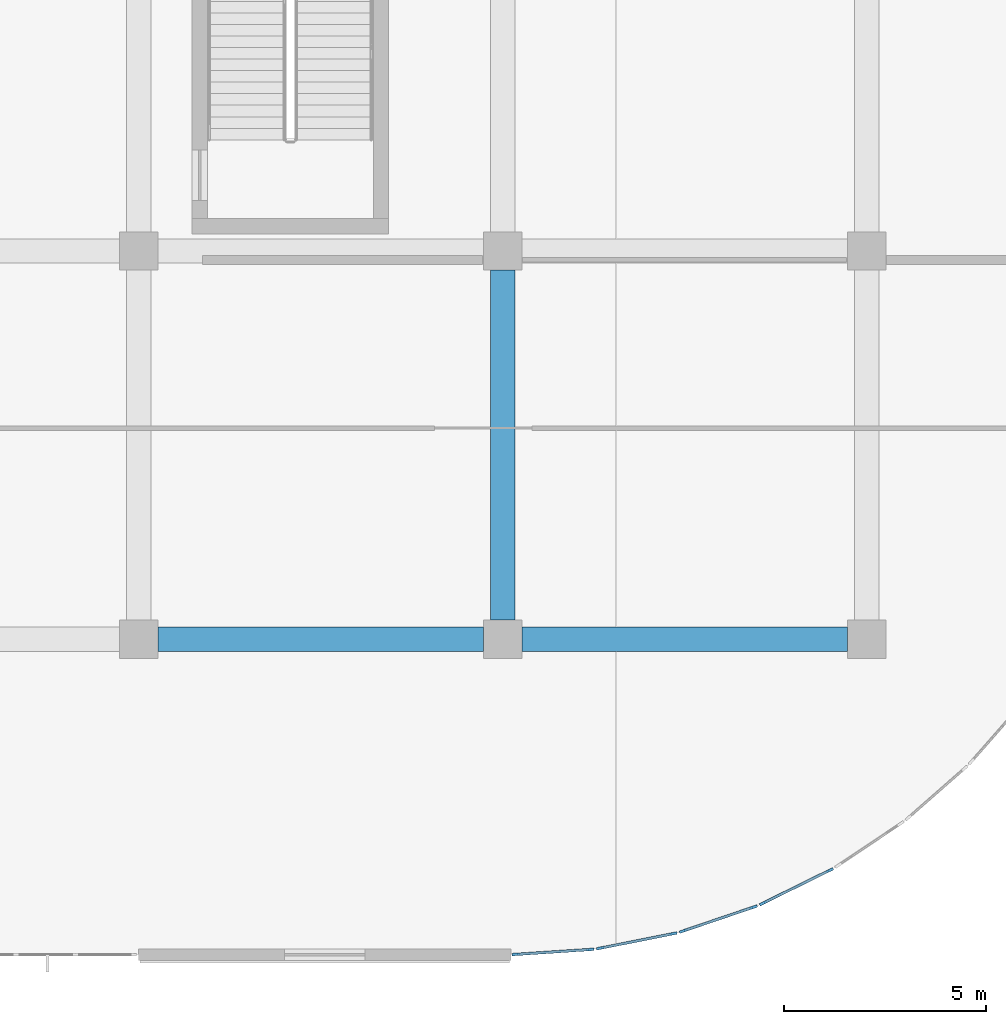
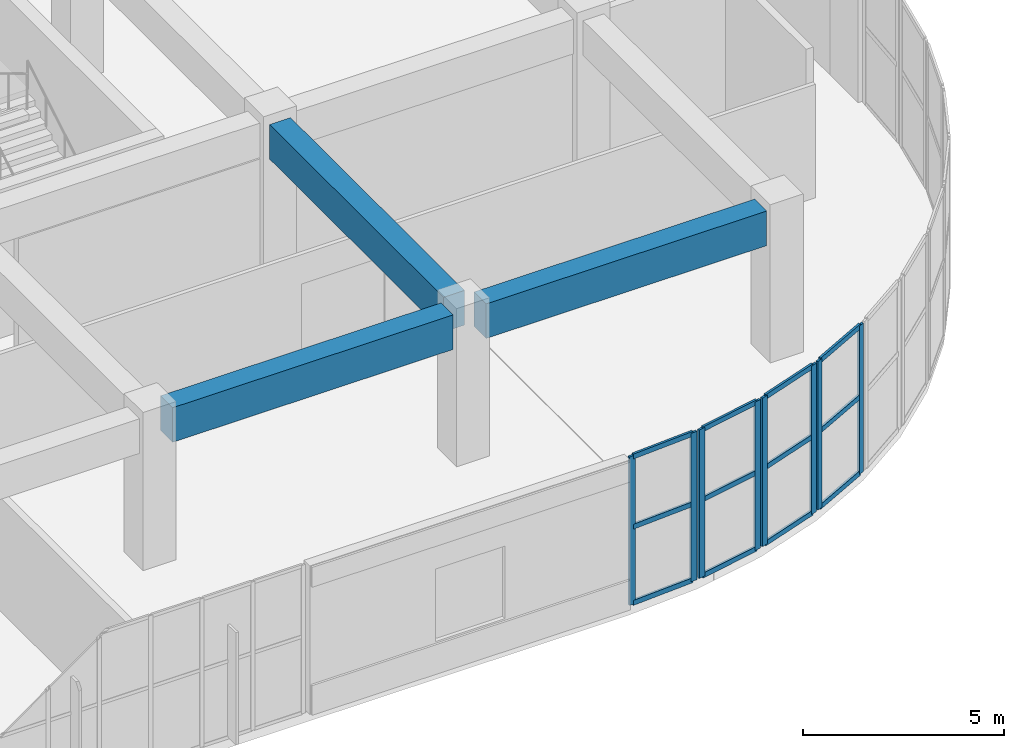
# One storey, part 22 of 86: 20 members, 3 beams, 4 elements without a shape of their own.
"""IFC4 building model written with IfcOpenShell, lengths in metres."""

from ifc_helpers import new_model, si_unit, direction, frame, origin, origin_2d, place, context, subcontext, project, spatial, rectangle, extrude, material, layer, layer_set, material_profile, profile_set, type_object, element, aggregate, save


model = new_model("IFC4")

# Units and contexts
model_context = context("Model", 3, precision=1e-05, world=origin(), true_north=direction((0.0, 1.0)))
body_context = subcontext(model_context, "Body", "Model", "MODEL_VIEW")
ifc_project = project(units=[si_unit("LENGTHUNIT", "METRE"), si_unit("AREAUNIT", "SQUARE_METRE"), si_unit("VOLUMEUNIT", "CUBIC_METRE"), si_unit("PLANEANGLEUNIT", "RADIAN"), si_unit("MASSUNIT", "GRAM", prefix="KILO")], contexts=[model_context])

# Site, building, storey
site_placement = place(None, origin())
site = spatial("IfcSite", under=ifc_project, at=site_placement, CompositionType="ELEMENT")
building_placement = place(site_placement, origin())
building = spatial("IfcBuilding", under=site, at=building_placement, Name="Cendralis Terraced Arcade", CompositionType="ELEMENT")
storey_placement = place(building_placement, frame((0.0, 0.0, 5.39990234375)))
storey = spatial("IfcBuildingStorey", under=building, at=storey_placement, Name="L01", CompositionType="ELEMENT", Elevation=5.39990234375)

# Beams
ifc_material_1 = material(Name="Concrete f'c 35 MPa", Category="concrete")
ifc_material_profile_1 = material_profile(ifc_material_1, rectangle(XDim=0.60009765625, YDim=1.050048828125, at=origin_2d()), Name="RC-BM-600x1050", Category="LoadBearing")
ifc_profile_set_1 = profile_set([ifc_material_profile_1], Name="Concrete f'c 35 MPa")
beam_type = type_object("IfcBeamType", Name="BM-600x1050", PredefinedType="JOIST", material=ifc_profile_set_1)
for number, where, z_axis, x_axis, name in (
    (1, (112.675048828125, 9.60009765625, 3.97998046875), (1.0, 0.0, 0.0), (0.0, 1.0, 0.0), "Reinforced Concrete Frame Beam BM-X-L02-B-13_14"),
    (2, (121.675048828125, 9.60009765625, 3.97998046875), (1.0, 0.0, 0.0), (0.0, 1.0, 0.0), "Reinforced Concrete Frame Beam BM-X-L02-B-14_15"),
):
    element("IfcBeam", number, at=place(storey_placement, frame(where, z_axis=z_axis, x_axis=x_axis)), inside=storey, type_object=beam_type, Name=name, PredefinedType="JOIST", context=body_context, shape_type="SweptSolid", body=[
        extrude(rectangle(XDim=0.60009765625, YDim=1.050048828125, at=origin_2d()), origin(), (0.0, 0.0, 1.0), 8.050048828125),
    ])
beam_placement = place(storey_placement, frame((121.199951171875, 10.074951171875, 3.97998046875), z_axis=(0.0, 1.0, 0.0), x_axis=(-1.0, 0.0, 0.0)))
element("IfcBeam", 3, at=beam_placement, inside=storey, type_object=beam_type, Name="Reinforced Concrete Frame Beam BM-Y-L02-14-B_C", PredefinedType="JOIST", context=body_context, shape_type="SweptSolid", body=[
    extrude(rectangle(XDim=0.60009765625, YDim=1.050048828125, at=origin_2d()), origin(), (0.0, 0.0, 1.0), 8.650146484375),
])

# Curtain wall, members
ifc_material_2 = material(Name="Anodised aluminium EN AW-6063 T6", Category="aluminium")
ifc_layer = layer(ifc_material_2, 0.179931640625, Name="CW-UNIT-A")
ifc_layer_set = layer_set([ifc_layer], Name="Anodised aluminium EN AW-6063 T6")
curtain_wall_type = type_object("IfcCurtainWallType", Name="CW-UNIT-A", PredefinedType="USERDEFINED", material=ifc_layer_set)
curtain_wall_1_placement = place(storey_placement, origin())
curtain_wall_1 = element("IfcCurtainWall", 4, at=curtain_wall_1_placement, inside=storey, type_object=curtain_wall_type, Name="Exterior Unitised Facade CW-L01-0086", ObjectType="UNITISED FACADE", PredefinedType="USERDEFINED")
ifc_material_profile_2 = material_profile(ifc_material_2, rectangle(XDim=0.06494140625, YDim=0.179931640625, at=origin_2d()), Name="ALU-MUL-65x180")
ifc_profile_set_2 = profile_set([ifc_material_profile_2], Name="Anodised aluminium EN AW-6063 T6")
member_type_1 = type_object("IfcMemberType", Name="CW-UNIT-A-MUL", PredefinedType="MULLION", material=ifc_profile_set_2)
member_1_placement = place(storey_placement, frame((129.2900390625, 3.889404296875, 0.0), z_axis=(0.0, 0.0, 1.0), x_axis=(0.442293060122, -0.896870586522, 0.0)))
member_1 = element("IfcMember", 5, at=member_1_placement, type_object=member_type_1, Name="CW-U1 mullion 1", PredefinedType="MULLION", context=body_context, shape_type="SweptSolid", body=[
    extrude(rectangle(XDim=0.06494140625, YDim=0.179931640625, at=origin_2d()), origin(), (0.0, 0.0, 1.0), 4.505126953125),
])
member_2_placement = place(storey_placement, frame((127.6328125, 3.072021484375, 0.0), z_axis=(0.0, 0.0, 1.0), x_axis=(0.442293060122, -0.896870586522, 0.0)))
member_2 = element("IfcMember", 6, at=member_2_placement, type_object=member_type_1, Name="CW-U1 mullion 2", PredefinedType="MULLION", context=body_context, shape_type="SweptSolid", body=[
    extrude(rectangle(XDim=0.06494140625, YDim=0.179931640625, at=origin_2d()), origin(), (0.0, 0.0, 1.0), 4.505126953125),
])

curtain_wall_2_placement = place(storey_placement, origin())
curtain_wall_2 = element("IfcCurtainWall", 7, at=curtain_wall_2_placement, inside=storey, type_object=curtain_wall_type, Name="Exterior Unitised Facade CW-L01-0087", ObjectType="UNITISED FACADE", PredefinedType="USERDEFINED")
member_3_placement = place(storey_placement, frame((127.406982421875, 2.978515625, 0.0), z_axis=(0.0, 0.0, 1.0), x_axis=(0.321445350645, -0.94692813167, 0.0)))
member_3 = element("IfcMember", 8, at=member_3_placement, type_object=member_type_1, Name="CW-U1 mullion 1", PredefinedType="MULLION", context=body_context, shape_type="SweptSolid", body=[
    extrude(rectangle(XDim=0.06494140625, YDim=0.179931640625, at=origin_2d()), origin(), (0.0, 0.0, 1.0), 4.505126953125),
])
member_4_placement = place(storey_placement, frame((125.656982421875, 2.384521484375, 0.0), z_axis=(0.0, 0.0, 1.0), x_axis=(0.321445350645, -0.94692813167, 0.0)))
member_4 = element("IfcMember", 9, at=member_4_placement, type_object=member_type_1, Name="CW-U1 mullion 2", PredefinedType="MULLION", context=body_context, shape_type="SweptSolid", body=[
    extrude(rectangle(XDim=0.06494140625, YDim=0.179931640625, at=origin_2d()), origin(), (0.0, 0.0, 1.0), 4.505126953125),
])

curtain_wall_3_placement = place(storey_placement, origin())
curtain_wall_3 = element("IfcCurtainWall", 10, at=curtain_wall_3_placement, inside=storey, type_object=curtain_wall_type, Name="Exterior Unitised Facade CW-L01-0088", ObjectType="UNITISED FACADE", PredefinedType="USERDEFINED")
member_5_placement = place(storey_placement, frame((125.4208984375, 2.3212890625, 0.0), z_axis=(0.0, 0.0, 1.0), x_axis=(0.195050346244, -0.980793231232, 0.0)))
member_5 = element("IfcMember", 11, at=member_5_placement, type_object=member_type_1, Name="CW-U1 mullion 1", PredefinedType="MULLION", context=body_context, shape_type="SweptSolid", body=[
    extrude(rectangle(XDim=0.06494140625, YDim=0.179931640625, at=origin_2d()), origin(), (0.0, 0.0, 1.0), 4.505126953125),
])
member_6_placement = place(storey_placement, frame((123.608642578125, 1.9609375, 0.0), z_axis=(0.0, 0.0, 1.0), x_axis=(0.195050346244, -0.980793231232, 0.0)))
member_6 = element("IfcMember", 12, at=member_6_placement, type_object=member_type_1, Name="CW-U1 mullion 2", PredefinedType="MULLION", context=body_context, shape_type="SweptSolid", body=[
    extrude(rectangle(XDim=0.06494140625, YDim=0.179931640625, at=origin_2d()), origin(), (0.0, 0.0, 1.0), 4.505126953125),
])

curtain_wall_4_placement = place(storey_placement, origin())
curtain_wall_4 = element("IfcCurtainWall", 13, at=curtain_wall_4_placement, inside=storey, type_object=curtain_wall_type, Name="Exterior Unitised Facade CW-L01-0089", ObjectType="UNITISED FACADE", PredefinedType="USERDEFINED")
member_7_placement = place(storey_placement, frame((123.3662109375, 1.928955078125, 0.0), z_axis=(0.0, 0.0, 1.0), x_axis=(0.065398256097, -0.997859242629, 0.0)))
member_7 = element("IfcMember", 14, at=member_7_placement, type_object=member_type_1, Name="CW-U1 mullion 1", PredefinedType="MULLION", context=body_context, shape_type="SweptSolid", body=[
    extrude(rectangle(XDim=0.06494140625, YDim=0.179931640625, at=origin_2d()), origin(), (0.0, 0.0, 1.0), 4.505126953125),
])
member_8_placement = place(storey_placement, frame((121.522216796875, 1.80810546875, 0.0), z_axis=(0.0, 0.0, 1.0), x_axis=(0.065398256097, -0.997859242629, 0.0)))
member_8 = element("IfcMember", 15, at=member_8_placement, type_object=member_type_1, Name="CW-U1 mullion 2", PredefinedType="MULLION", context=body_context, shape_type="SweptSolid", body=[
    extrude(rectangle(XDim=0.06494140625, YDim=0.179931640625, at=origin_2d()), origin(), (0.0, 0.0, 1.0), 4.505126953125),
])

# Member
ifc_material_profile_3 = material_profile(ifc_material_2, rectangle(XDim=0.06494140625, YDim=0.14990234375, at=origin_2d()), Name="ALU-TRN-65x150")
ifc_profile_set_3 = profile_set([ifc_material_profile_3], Name="Anodised aluminium EN AW-6063 T6")
member_type_2 = type_object("IfcMemberType", Name="CW-UNIT-A-TRN", PredefinedType="USERDEFINED", material=ifc_profile_set_3)
member_9_placement = place(storey_placement, frame((129.260986328125, 3.875, 0.03271484375), z_axis=(-0.896878311066, -0.442277396144, 0.0), x_axis=(0.442277396144, -0.896878311066, 0.0)))
member_9 = element("IfcMember", 16, at=member_9_placement, type_object=member_type_2, Name="CW-U1 transom 1.1", ObjectType="TRANSOM", PredefinedType="USERDEFINED", context=body_context, shape_type="SweptSolid", body=[
    extrude(rectangle(XDim=0.06494140625, YDim=0.14990234375, at=origin_2d()), origin(), (0.0, 0.0, 1.0), 1.782958984375),
])

member_10_placement = place(storey_placement, frame((129.260986328125, 3.875, 2.3427734375), z_axis=(-0.896878311066, -0.442277396144, 0.0), x_axis=(0.442277396144, -0.896878311066, 0.0)))
member_10 = element("IfcMember", 17, at=member_10_placement, type_object=member_type_2, Name="CW-U1 transom 1.2", ObjectType="TRANSOM", PredefinedType="USERDEFINED", context=body_context, shape_type="SweptSolid", body=[
    extrude(rectangle(XDim=0.06494140625, YDim=0.14990234375, at=origin_2d()), origin(), (0.0, 0.0, 1.0), 1.782958984375),
])

member_11_placement = place(storey_placement, frame((129.260986328125, 3.875, 4.47265625), z_axis=(-0.896878311066, -0.442277396144, 0.0), x_axis=(0.442277396144, -0.896878311066, 0.0)))
member_11 = element("IfcMember", 18, at=member_11_placement, type_object=member_type_2, Name="CW-U1 transom 1.3", ObjectType="TRANSOM", PredefinedType="USERDEFINED", context=body_context, shape_type="SweptSolid", body=[
    extrude(rectangle(XDim=0.06494140625, YDim=0.14990234375, at=origin_2d()), origin(), (0.0, 0.0, 1.0), 1.782958984375),
])

aggregate(curtain_wall_1, [member_1, member_2, member_9, member_10, member_11])

member_12_placement = place(storey_placement, frame((127.376220703125, 2.968017578125, 0.03271484375), z_axis=(-0.94695786821, -0.321357738098, 0.0), x_axis=(0.321357738098, -0.94695786821, 0.0)))
member_12 = element("IfcMember", 19, at=member_12_placement, type_object=member_type_2, Name="CW-U1 transom 1.1", ObjectType="TRANSOM", PredefinedType="USERDEFINED", context=body_context, shape_type="SweptSolid", body=[
    extrude(rectangle(XDim=0.06494140625, YDim=0.14990234375, at=origin_2d()), origin(), (0.0, 0.0, 1.0), 1.782958984375),
])

member_13_placement = place(storey_placement, frame((127.376220703125, 2.968017578125, 2.3427734375), z_axis=(-0.94695786821, -0.321357738098, 0.0), x_axis=(0.321357738098, -0.94695786821, 0.0)))
member_13 = element("IfcMember", 20, at=member_13_placement, type_object=member_type_2, Name="CW-U1 transom 1.2", ObjectType="TRANSOM", PredefinedType="USERDEFINED", context=body_context, shape_type="SweptSolid", body=[
    extrude(rectangle(XDim=0.06494140625, YDim=0.14990234375, at=origin_2d()), origin(), (0.0, 0.0, 1.0), 1.782958984375),
])

member_14_placement = place(storey_placement, frame((127.376220703125, 2.968017578125, 4.47265625), z_axis=(-0.94695786821, -0.321357738098, 0.0), x_axis=(0.321357738098, -0.94695786821, 0.0)))
member_14 = element("IfcMember", 21, at=member_14_placement, type_object=member_type_2, Name="CW-U1 transom 1.3", ObjectType="TRANSOM", PredefinedType="USERDEFINED", context=body_context, shape_type="SweptSolid", body=[
    extrude(rectangle(XDim=0.06494140625, YDim=0.14990234375, at=origin_2d()), origin(), (0.0, 0.0, 1.0), 1.782958984375),
])

aggregate(curtain_wall_2, [member_3, member_4, member_12, member_13, member_14])

member_15_placement = place(storey_placement, frame((125.38916015625, 2.31494140625, 0.03271484375), z_axis=(-0.980806477785, -0.194983725306, 0.0), x_axis=(0.194983725306, -0.980806477785, 0.0)))
member_15 = element("IfcMember", 22, at=member_15_placement, type_object=member_type_2, Name="CW-U1 transom 1.1", ObjectType="TRANSOM", PredefinedType="USERDEFINED", context=body_context, shape_type="SweptSolid", body=[
    extrude(rectangle(XDim=0.06494140625, YDim=0.14990234375, at=origin_2d()), origin(), (0.0, 0.0, 1.0), 1.782958984375),
])

member_16_placement = place(storey_placement, frame((125.38916015625, 2.31494140625, 2.3427734375), z_axis=(-0.980806477785, -0.194983725306, 0.0), x_axis=(0.194983725306, -0.980806477785, 0.0)))
member_16 = element("IfcMember", 23, at=member_16_placement, type_object=member_type_2, Name="CW-U1 transom 1.2", ObjectType="TRANSOM", PredefinedType="USERDEFINED", context=body_context, shape_type="SweptSolid", body=[
    extrude(rectangle(XDim=0.06494140625, YDim=0.14990234375, at=origin_2d()), origin(), (0.0, 0.0, 1.0), 1.782958984375),
])

member_17_placement = place(storey_placement, frame((125.38916015625, 2.31494140625, 4.47265625), z_axis=(-0.980806477785, -0.194983725306, 0.0), x_axis=(0.194983725306, -0.980806477785, 0.0)))
member_17 = element("IfcMember", 24, at=member_17_placement, type_object=member_type_2, Name="CW-U1 transom 1.3", ObjectType="TRANSOM", PredefinedType="USERDEFINED", context=body_context, shape_type="SweptSolid", body=[
    extrude(rectangle(XDim=0.06494140625, YDim=0.14990234375, at=origin_2d()), origin(), (0.0, 0.0, 1.0), 1.782958984375),
])

aggregate(curtain_wall_3, [member_5, member_6, member_15, member_16, member_17])

member_18_placement = place(storey_placement, frame((123.333740234375, 1.9267578125, 0.03271484375), z_axis=(-0.997855483064, -0.065455595019, 0.0), x_axis=(0.065455595019, -0.997855483064, 0.0)))
member_18 = element("IfcMember", 25, at=member_18_placement, type_object=member_type_2, Name="CW-U1 transom 1.1", ObjectType="TRANSOM", PredefinedType="USERDEFINED", context=body_context, shape_type="SweptSolid", body=[
    extrude(rectangle(XDim=0.06494140625, YDim=0.14990234375, at=origin_2d()), origin(), (0.0, 0.0, 1.0), 1.782958984375),
])

member_19_placement = place(storey_placement, frame((123.333740234375, 1.9267578125, 2.3427734375), z_axis=(-0.997855483064, -0.065455595019, 0.0), x_axis=(0.065455595019, -0.997855483064, 0.0)))
member_19 = element("IfcMember", 26, at=member_19_placement, type_object=member_type_2, Name="CW-U1 transom 1.2", ObjectType="TRANSOM", PredefinedType="USERDEFINED", context=body_context, shape_type="SweptSolid", body=[
    extrude(rectangle(XDim=0.06494140625, YDim=0.14990234375, at=origin_2d()), origin(), (0.0, 0.0, 1.0), 1.782958984375),
])

member_20_placement = place(storey_placement, frame((123.333740234375, 1.9267578125, 4.47265625), z_axis=(-0.997855483064, -0.065455595019, 0.0), x_axis=(0.065455595019, -0.997855483064, 0.0)))
member_20 = element("IfcMember", 27, at=member_20_placement, type_object=member_type_2, Name="CW-U1 transom 1.3", ObjectType="TRANSOM", PredefinedType="USERDEFINED", context=body_context, shape_type="SweptSolid", body=[
    extrude(rectangle(XDim=0.06494140625, YDim=0.14990234375, at=origin_2d()), origin(), (0.0, 0.0, 1.0), 1.782958984375),
])

aggregate(curtain_wall_4, [member_7, member_8, member_18, member_19, member_20])

save(model, "model.ifc")
